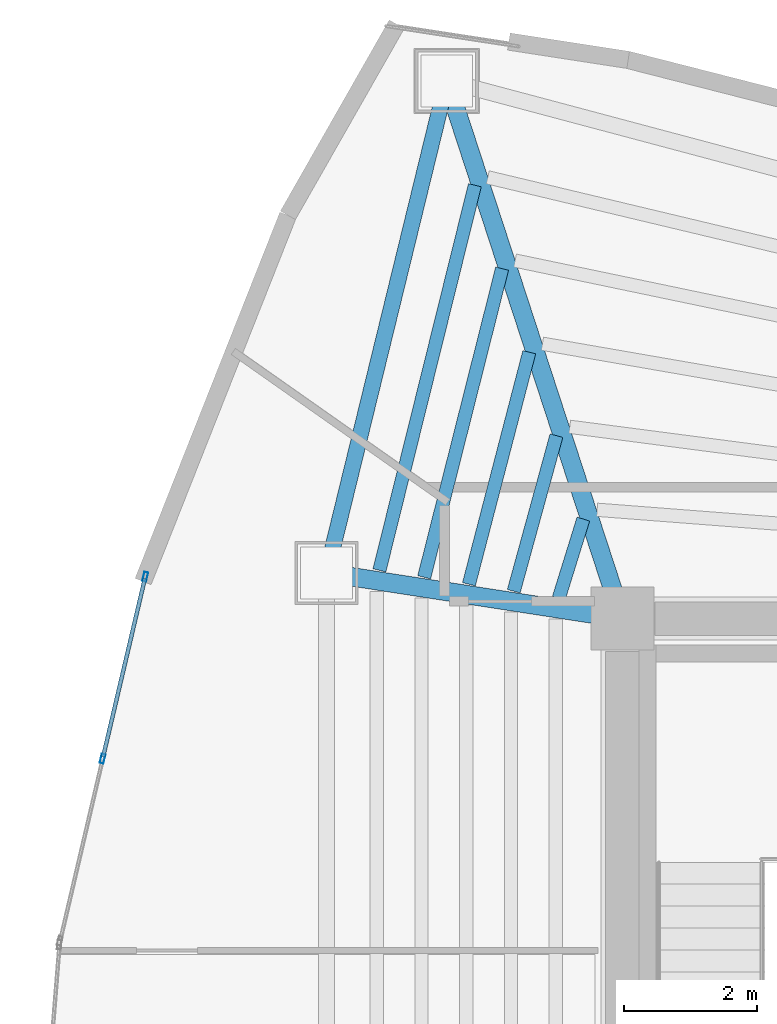
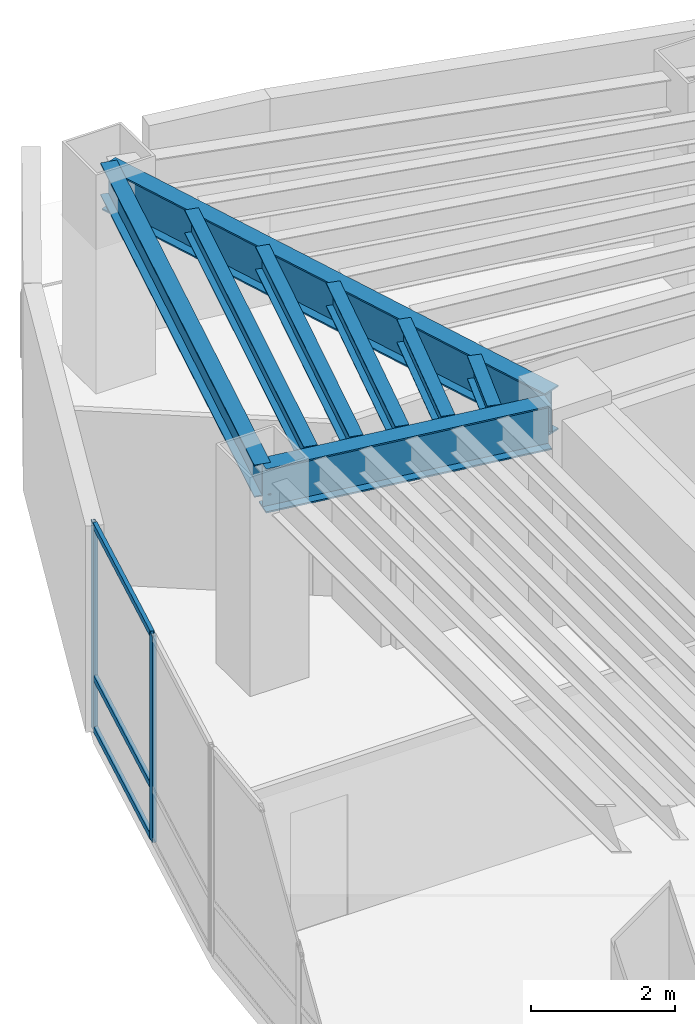
# One storey, part 6 of 15: 8 beams, 5 members, 1 element without a shape of its own.
"""IFC4 building model written with IfcOpenShell, lengths in metres."""

import ifcopenshell
import ifcopenshell.guid

model = None  # the IFC model being written
_history = None  # IfcOwnerHistory: only IFC2X3 demands one
_inside = {}  # id of a spatial element -> (the spatial element, [elements in it])
_under = {}  # id of a project, library or spatial element -> (it, [spatial elements below it])
_declared = {}  # id of a project -> (the project, [libraries it declares])
_typed = {}  # id of a type object -> (the type object, [elements of that type])
_made_of = {}  # id of a material, layer set ... -> (it, [elements and type objects made of it])


def new_model(schema):
    """Start an empty IFC model of exactly this schema.

    Asked for "IFC4X3", IfcOpenShell would pick the latest addendum, in which some entities
    have other attributes; the version numbers below select the first issue.
    IFC2X3 requires an IfcOwnerHistory on every rooted entity: one is made here for all.
    """
    global model, _history
    if schema == "IFC4X3":
        model = ifcopenshell.file(schema_version=(4, 3, 0, 0))
    else:
        model = ifcopenshell.file(schema=schema)
    _inside.clear()
    _under.clear()
    _declared.clear()
    _typed.clear()
    _made_of.clear()
    _history = None
    if model.schema == "IFC2X3":
        org = make("IfcOrganization", Name="unknown")
        user = make(
            "IfcPersonAndOrganization",
            ThePerson=make("IfcPerson", FamilyName="unknown"),
            TheOrganization=org,
        )
        app = make(
            "IfcApplication",
            ApplicationDeveloper=org,
            Version="unknown",
            ApplicationFullName="unknown",
            ApplicationIdentifier="unknown",
        )
        _history = make(
            "IfcOwnerHistory",
            OwningUser=user,
            OwningApplication=app,
            ChangeAction="ADDED",
            CreationDate=0,
        )
    return model


def make(cls, **values):
    """One entity of the class cls with the attributes given. An attribute that is None is left unset."""
    return model.create_entity(
        cls, **{name: value for name, value in values.items() if value is not None}
    )


def rooted(cls, **values):
    """An entity with a GlobalId (a new one), such as an element, a storey or a relation."""
    return make(cls, GlobalId=ifcopenshell.guid.new(), OwnerHistory=_history, **values)


def si_unit(unit_type, name, prefix=None):
    """IfcSIUnit, for example si_unit("LENGTHUNIT", "METRE", prefix="MILLI")."""
    return make("IfcSIUnit", UnitType=unit_type, Prefix=prefix, Name=name)


def assignment(units):
    """IfcUnitAssignment: the units of a project."""
    return None if units is None else make("IfcUnitAssignment", Units=units)


def point(xyz):
    """IfcCartesianPoint."""
    return None if xyz is None else make("IfcCartesianPoint", Coordinates=xyz)


def direction(xyz):
    """IfcDirection."""
    return None if xyz is None else make("IfcDirection", DirectionRatios=xyz)


def frame(location, z_axis=None, x_axis=None):
    """IfcAxis2Placement3D, a coordinate frame: its origin and axes. An axis left out is left unset."""
    return make(
        "IfcAxis2Placement3D",
        Location=point(location),
        Axis=direction(z_axis),
        RefDirection=direction(x_axis),
    )


def frame_2d(location, x_axis=None):
    """IfcAxis2Placement2D, a coordinate frame in the plane: its origin and x axis."""
    return make(
        "IfcAxis2Placement2D", Location=point(location), RefDirection=direction(x_axis)
    )


def origin():
    """The frame at (0, 0, 0) with its axes left unset."""
    return frame((0.0, 0.0, 0.0))


def origin_2d():
    """The frame at (0, 0) in the plane with its x axis left unset."""
    return frame_2d((0.0, 0.0))


def place(relative_to, where):
    """IfcLocalPlacement: puts the frame where relative to a parent placement (None: the world)."""
    return make(
        "IfcLocalPlacement", PlacementRelTo=relative_to, RelativePlacement=where
    )


def context(
    kind, dimensions, precision=None, world=None, true_north=None, identifier=None
):
    """IfcGeometricRepresentationContext, for example the 3D "Model" context."""
    return make(
        "IfcGeometricRepresentationContext",
        ContextIdentifier=identifier,
        ContextType=kind,
        CoordinateSpaceDimension=dimensions,
        Precision=precision,
        WorldCoordinateSystem=world,
        TrueNorth=true_north,
    )


def subcontext(parent, identifier, kind, view, scale=None):
    """IfcGeometricRepresentationSubContext, for example "Body" below "Model"."""
    return make(
        "IfcGeometricRepresentationSubContext",
        ContextIdentifier=identifier,
        ContextType=kind,
        ParentContext=parent,
        TargetScale=scale,
        TargetView=view,
    )


def project(units=None, contexts=None):
    """IfcProject with its units and contexts."""
    return rooted(
        "IfcProject",
        Name="project",
        RepresentationContexts=contexts,
        UnitsInContext=assignment(units),
    )


def spatial(cls, under=None, at=None, **own):
    """A site, building, storey or space (cls), placed at a placement, below another one or the project."""
    s = rooted(cls, ObjectPlacement=at, **own)
    if under is not None:
        _under.setdefault(under.id(), (under, []))[1].append(s)
    return s


def profile(cls, at=None, kind="AREA", **sizes):
    """A parametric profile (cls). Its sizes go by their IFC names, for example OverallWidth=200.0."""
    return make(cls, ProfileType=kind, Position=at, **sizes)


def hollow_rectangle(**sizes):
    """IfcRectangleHollowProfileDef."""
    return profile("IfcRectangleHollowProfileDef", **sizes)


def i_section(**sizes):
    """IfcIShapeProfileDef."""
    return profile("IfcIShapeProfileDef", **sizes)


def extrude(swept, where, along, depth):
    """IfcExtrudedAreaSolid: the profile swept, set in the frame where, extruded along a direction by depth."""
    return make(
        "IfcExtrudedAreaSolid",
        SweptArea=swept,
        Position=where,
        ExtrudedDirection=direction(along),
        Depth=depth,
    )


def shape(context_of_items, identifier, shape_type, items):
    """IfcShapeRepresentation: the items that make up one representation, for example the "Body"."""
    return make(
        "IfcShapeRepresentation",
        ContextOfItems=context_of_items,
        RepresentationIdentifier=identifier,
        RepresentationType=shape_type,
        Items=items,
    )


def material(Name=None, Category=None):
    """IfcMaterial."""
    return make("IfcMaterial", Name=Name, Category=Category)


def layer(
    of_material, thickness, ventilated=None, Name=None, Category=None, Priority=None
):
    """IfcMaterialLayer: one layer of a wall or slab, of a material (None: an air gap)."""
    return make(
        "IfcMaterialLayer",
        Material=of_material,
        LayerThickness=thickness,
        IsVentilated=ventilated,
        Name=Name,
        Category=Category,
        Priority=Priority,
    )


def layer_set(layers, Name=None):
    """IfcMaterialLayerSet."""
    return make("IfcMaterialLayerSet", MaterialLayers=layers, LayerSetName=Name)


def material_profile(
    of_material, cross_section, Name=None, Category=None, Priority=None
):
    """IfcMaterialProfile: a cross section and its material."""
    return make(
        "IfcMaterialProfile",
        Name=Name,
        Material=of_material,
        Profile=cross_section,
        Priority=Priority,
        Category=Category,
    )


def profile_set(profiles, Name=None, composite=None):
    """IfcMaterialProfileSet."""
    return make(
        "IfcMaterialProfileSet",
        Name=Name,
        MaterialProfiles=profiles,
        CompositeProfile=composite,
    )


def made_of(thing, what):
    """Note that an element or type object is made of a material, layer set ...; save() writes the relation."""
    if what is not None:
        _made_of.setdefault(what.id(), (what, []))[1].append(thing)
    return thing


def type_object(cls, material=None, **own):
    """A type object (cls), such as IfcWallType, which elements share."""
    return made_of(rooted(cls, **own), material)


def element(
    cls,
    number,
    at=None,
    inside=None,
    cuts=None,
    type_object=None,
    material=None,
    context=None,
    identifier="Body",
    shape_type=None,
    held_by="IfcProductDefinitionShape",
    body=None,
    shapes=None,
    **own,
):
    """One element of the class cls, such as IfcWall. Its Tag is "e" and its number.

    at: its placement. inside: the storey or other place that contains it. cuts: it is an
    opening in that element (IfcRelVoidsElement). A single representation is given by context,
    identifier, shape_type and body (its items); several are given by shapes. held_by: the class
    of the entity that holds the representations. save() writes the other relations.
    """
    e = rooted(cls, Tag="e%d" % number, ObjectPlacement=at, **own)
    if body is not None:
        shapes = [shape(context, identifier, shape_type, body)]
    if shapes is not None:
        e.Representation = make(held_by, Representations=shapes)
    if inside is not None:
        _inside.setdefault(inside.id(), (inside, []))[1].append(e)
    if cuts is not None:
        rooted(
            "IfcRelVoidsElement", RelatingBuildingElement=cuts, RelatedOpeningElement=e
        )
    if type_object is not None:
        _typed.setdefault(type_object.id(), (type_object, []))[1].append(e)
    return made_of(e, material)


def aggregate(whole, parts):
    """IfcRelAggregates: a whole, such as a stair, and the parts it consists of."""
    return rooted("IfcRelAggregates", RelatingObject=whole, RelatedObjects=parts)


def save(model, path):
    """Write the relations noted so far, then the file.

    IfcRelAggregates (storeys below a building ...), IfcRelContainedInSpatialStructure (elements
    in a storey), IfcRelDefinesByType, IfcRelAssociatesMaterial and IfcRelDeclares: one each for
    every whole, place, type object, material and project.
    """
    for whole, parts in _under.values():
        aggregate(whole, parts)
    for where, things in _inside.values():
        rooted(
            "IfcRelContainedInSpatialStructure",
            RelatedElements=things,
            RelatingStructure=where,
        )
    for kind, things in _typed.values():
        rooted("IfcRelDefinesByType", RelatedObjects=things, RelatingType=kind)
    for what, things in _made_of.values():
        rooted("IfcRelAssociatesMaterial", RelatedObjects=things, RelatingMaterial=what)
    for by, libraries in _declared.values():
        rooted("IfcRelDeclares", RelatingContext=by, RelatedDefinitions=libraries)
    model.write(path)


model = new_model("IFC4")

# Units and contexts
model_context = context("Model", 3, precision=1e-05, world=origin(), true_north=direction((0.0, 1.0)))
body_context = subcontext(model_context, "Body", "Model", "MODEL_VIEW")
ifc_project = project(units=[si_unit("LENGTHUNIT", "METRE"), si_unit("AREAUNIT", "SQUARE_METRE"), si_unit("VOLUMEUNIT", "CUBIC_METRE"), si_unit("PLANEANGLEUNIT", "RADIAN"), si_unit("MASSUNIT", "GRAM", prefix="KILO")], contexts=[model_context])

# Site, building, storey
site_placement = place(None, origin())
site = spatial("IfcSite", under=ifc_project, at=site_placement, CompositionType="ELEMENT")
building_placement = place(site_placement, origin())
building = spatial("IfcBuilding", under=site, at=building_placement, Name="Menara Vayukalpa", CompositionType="ELEMENT")
storey_placement = place(building_placement, frame((0.0, 0.0, 172.919921875)))
storey = spatial("IfcBuildingStorey", under=building, at=storey_placement, Name="L43", CompositionType="ELEMENT", Elevation=172.919921875)

# Beams
ifc_material_1 = material(Name="Steel S355", Category="steel")
ifc_material_profile_1 = material_profile(ifc_material_1, i_section(OverallWidth=0.280029296875, OverallDepth=0.75, WebThickness=0.013916015625, FlangeThickness=0.02490234375, at=origin_2d()), Name="WF 750x280x14x25")
ifc_profile_set_1 = profile_set([ifc_material_profile_1], Name="Steel S355")
beam_type_1 = type_object("IfcBeamType", Name="BM-PG4", PredefinedType="BEAM", material=ifc_profile_set_1)
beam_1_placement = place(storey_placement, frame((17.722412109375, 27.03759765625, 3.125), z_axis=(-0.310343552153, 0.950624468251, 0.0), x_axis=(-0.950624468251, -0.310343552153, 0.0)))
element("IfcBeam", 1, at=beam_1_placement, inside=storey, type_object=beam_type_1, Name="L43 Primary Radial Girder RG04", PredefinedType="BEAM", context=body_context, shape_type="SweptSolid", body=[
    extrude(i_section(OverallWidth=0.280029296875, OverallDepth=0.75, WebThickness=0.013916015625, FlangeThickness=0.02490234375, at=origin_2d()), origin(), (0.0, 0.0, 1.0), 8.2734375),
])
beam_2_placement = place(storey_placement, frame((17.552978515625, 26.838134765625, 3.125), z_axis=(-0.988244781219, 0.152879862617, 0.0), x_axis=(-0.152879862617, -0.988244781219, 0.0)))
element("IfcBeam", 2, at=beam_2_placement, inside=storey, type_object=beam_type_1, Name="L43 Primary Radial Girder RG05", PredefinedType="BEAM", context=body_context, shape_type="SweptSolid", body=[
    extrude(i_section(OverallWidth=0.280029296875, OverallDepth=0.75, WebThickness=0.013916015625, FlangeThickness=0.02490234375, at=origin_2d()), origin(), (0.0, 0.0, 1.0), 4.259033203125),
])
ifc_material_2 = material(Name="Steel S355", Category="steel")
ifc_material_profile_2 = material_profile(ifc_material_2, i_section(OverallWidth=0.199951171875, OverallDepth=0.39990234375, WebThickness=0.008056640625, FlangeThickness=0.012939453125, at=origin_2d()), Name="WF 400x200x8x13")
ifc_profile_set_2 = profile_set([ifc_material_profile_2], Name="Steel S355")
beam_type_2 = type_object("IfcBeamType", Name="BM-SJ2", PredefinedType="JOIST", material=ifc_profile_set_2)
beam_3_placement = place(storey_placement, frame((17.212890625, 28.300537109375, 3.300048828125), z_axis=(-0.296448419226, -0.955048865105, 0.0), x_axis=(0.955048865105, -0.296448419226, 0.0)))
element("IfcBeam", 3, at=beam_3_placement, inside=storey, type_object=beam_type_2, Name="L43 Secondary Floor Joist SJ04-1", PredefinedType="JOIST", context=body_context, shape_type="SweptSolid", body=[
    extrude(i_section(OverallWidth=0.199951171875, OverallDepth=0.39990234375, WebThickness=0.008056640625, FlangeThickness=0.012939453125, at=origin_2d()), origin(), (0.0, 0.0, 1.0), 1.24853515625),
])
beam_4_placement = place(storey_placement, frame((16.80712890625, 29.5576171875, 3.300048828125), z_axis=(-0.264502665082, -0.964384954344, 0.0), x_axis=(0.964384954344, -0.264502665082, 0.0)))
element("IfcBeam", 4, at=beam_4_placement, inside=storey, type_object=beam_type_2, Name="L43 Secondary Floor Joist SJ04-2", PredefinedType="JOIST", context=body_context, shape_type="SweptSolid", body=[
    extrude(i_section(OverallWidth=0.199951171875, OverallDepth=0.39990234375, WebThickness=0.008056640625, FlangeThickness=0.012939453125, at=origin_2d()), origin(), (0.0, 0.0, 1.0), 2.430419921875),
])
beam_5_placement = place(storey_placement, frame((16.398193359375, 30.815185546875, 3.300048828125), z_axis=(-0.251714869346, -0.967801438597, 0.0), x_axis=(0.967801438597, -0.251714869346, 0.0)))
element("IfcBeam", 5, at=beam_5_placement, inside=storey, type_object=beam_type_2, Name="L43 Secondary Floor Joist SJ04-3", PredefinedType="JOIST", context=body_context, shape_type="SweptSolid", body=[
    extrude(i_section(OverallWidth=0.199951171875, OverallDepth=0.39990234375, WebThickness=0.008056640625, FlangeThickness=0.012939453125, at=origin_2d()), origin(), (0.0, 0.0, 1.0), 3.61279296875),
])
beam_6_placement = place(storey_placement, frame((15.988525390625, 32.073486328125, 3.300048828125), z_axis=(-0.24483447751, -0.969564891393, 0.0), x_axis=(0.969564891393, -0.24483447751, 0.0)))
element("IfcBeam", 6, at=beam_6_placement, inside=storey, type_object=beam_type_2, Name="L43 Secondary Floor Joist SJ04-4", PredefinedType="JOIST", context=body_context, shape_type="SweptSolid", body=[
    extrude(i_section(OverallWidth=0.199951171875, OverallDepth=0.39990234375, WebThickness=0.008056640625, FlangeThickness=0.012939453125, at=origin_2d()), origin(), (0.0, 0.0, 1.0), 4.79638671875),
])
beam_7_placement = place(storey_placement, frame((15.57861328125, 33.33154296875, 3.300048828125), z_axis=(-0.240556182956, -0.970635216156, 0.0), x_axis=(0.970635216156, -0.240556182956, 0.0)))
element("IfcBeam", 7, at=beam_7_placement, inside=storey, type_object=beam_type_2, Name="L43 Secondary Floor Joist SJ04-5", PredefinedType="JOIST", context=body_context, shape_type="SweptSolid", body=[
    extrude(i_section(OverallWidth=0.199951171875, OverallDepth=0.39990234375, WebThickness=0.008056640625, FlangeThickness=0.012939453125, at=origin_2d()), origin(), (0.0, 0.0, 1.0), 5.979736328125),
])
ifc_material_3 = material(Name="Steel S355", Category="steel")
ifc_material_profile_3 = material_profile(ifc_material_3, i_section(OverallWidth=0.239990234375, OverallDepth=0.550048828125, WebThickness=0.010986328125, FlangeThickness=0.01904296875, at=origin_2d()), Name="WF 550x240x11x19")
ifc_profile_set_3 = profile_set([ifc_material_profile_3], Name="Steel S355")
beam_type_3 = type_object("IfcBeamType", Name="BM-SP2", PredefinedType="SPANDREL", material=ifc_profile_set_3)
beam_8_placement = place(storey_placement, frame((15.15478515625, 34.902587890625, 3.22509765625), z_axis=(-0.237285374413, -0.971439988414, 0.0), x_axis=(0.971439988414, -0.237285374413, 0.0)))
element("IfcBeam", 8, at=beam_8_placement, inside=storey, type_object=beam_type_3, Name="L43 Perimeter Spandrel Beam SP04", PredefinedType="SPANDREL", context=body_context, shape_type="SweptSolid", body=[
    extrude(i_section(OverallWidth=0.239990234375, OverallDepth=0.550048828125, WebThickness=0.010986328125, FlangeThickness=0.01904296875, at=origin_2d()), origin(), (0.0, 0.0, 1.0), 7.63134765625),
])

# Curtain wall, members
ifc_material_4 = material(Name="Anodised Terracotta Aluminium Alloy 6063-T6", Category="masonry")
ifc_layer = layer(ifc_material_4, 0.139892578125)
ifc_layer_set = layer_set([ifc_layer], Name="Anodised Terracotta Aluminium Alloy 6063-T6")
curtain_wall_type = type_object("IfcCurtainWallType", Name="CW-CW5", PredefinedType="USERDEFINED", material=ifc_layer_set)
curtain_wall_placement = place(storey_placement, origin())
curtain_wall = element("IfcCurtainWall", 9, at=curtain_wall_placement, inside=storey, type_object=curtain_wall_type, Name="L43 High Rise Tapered Curtain Wall CW5 10", ObjectType="UNITISED", PredefinedType="USERDEFINED")
ifc_material_5 = material(Name="Anodised Terracotta Aluminium Alloy 6063-T6", Category="masonry")
ifc_material_profile_4 = material_profile(ifc_material_5, hollow_rectangle(XDim=0.06005859375, YDim=0.139892578125, WallThickness=0.00341796875, at=origin_2d()), Name="ALU 60x140x3.5")
ifc_profile_set_4 = profile_set([ifc_material_profile_4], Name="Anodised Terracotta Aluminium Alloy 6063-T6")
member_type_1 = type_object("IfcMemberType", Name="CWM-CW5", PredefinedType="MULLION", material=ifc_profile_set_4)
member_1_placement = place(storey_placement, frame((10.612548828125, 27.433349609375, 0.0), z_axis=(0.0, 0.0, 1.0), x_axis=(0.973626241643, -0.228148946052, 0.0)))
member_1 = element("IfcMember", 10, at=member_1_placement, type_object=member_type_1, Name="CW5 mullion 1", PredefinedType="MULLION", context=body_context, shape_type="SweptSolid", body=[
    extrude(hollow_rectangle(XDim=0.06005859375, YDim=0.139892578125, WallThickness=0.00341796875, at=origin_2d()), origin(), (0.0, 0.0, 1.0), 3.5),
])
member_2_placement = place(storey_placement, frame((9.969482421875, 24.689208984375, 0.0), z_axis=(0.0, 0.0, 1.0), x_axis=(0.973626241643, -0.228148946052, 0.0)))
member_2 = element("IfcMember", 11, at=member_2_placement, type_object=member_type_1, Name="CW5 mullion 2", PredefinedType="MULLION", context=body_context, shape_type="SweptSolid", body=[
    extrude(hollow_rectangle(XDim=0.06005859375, YDim=0.139892578125, WallThickness=0.00341796875, at=origin_2d()), origin(), (0.0, 0.0, 1.0), 3.5),
])
ifc_material_6 = material(Name="Anodised Terracotta Aluminium Alloy 6063-T6", Category="masonry")
ifc_material_profile_5 = material_profile(ifc_material_6, hollow_rectangle(XDim=0.06005859375, YDim=0.10498046875, WallThickness=0.0029296875, at=origin_2d()), Name="ALU 60x105x3")
ifc_profile_set_5 = profile_set([ifc_material_profile_5], Name="Anodised Terracotta Aluminium Alloy 6063-T6")
member_type_2 = type_object("IfcMemberType", Name="CWT-CW5", PredefinedType="USERDEFINED", material=ifc_profile_set_5)
member_3_placement = place(storey_placement, frame((10.605712890625, 27.404296875, 0.030029296875), z_axis=(-0.228141514306, -0.973627983087, 0.0), x_axis=(0.973627983087, -0.228141514306, 0.0)))
member_3 = element("IfcMember", 12, at=member_3_placement, type_object=member_type_2, Name="CW5 transom 1.1", ObjectType="TRANSOM", PredefinedType="USERDEFINED", context=body_context, shape_type="SweptSolid", body=[
    extrude(hollow_rectangle(XDim=0.06005859375, YDim=0.10498046875, WallThickness=0.0029296875, at=origin_2d()), origin(), (0.0, 0.0, 1.0), 2.7587890625),
])
member_4_placement = place(storey_placement, frame((10.605712890625, 27.404296875, 0.900146484375), z_axis=(-0.228141514306, -0.973627983087, 0.0), x_axis=(0.973627983087, -0.228141514306, 0.0)))
member_4 = element("IfcMember", 13, at=member_4_placement, type_object=member_type_2, Name="CW5 transom 1.2", ObjectType="TRANSOM", PredefinedType="USERDEFINED", context=body_context, shape_type="SweptSolid", body=[
    extrude(hollow_rectangle(XDim=0.06005859375, YDim=0.10498046875, WallThickness=0.0029296875, at=origin_2d()), origin(), (0.0, 0.0, 1.0), 2.7587890625),
])
member_5_placement = place(storey_placement, frame((10.605712890625, 27.404296875, 3.469970703125), z_axis=(-0.228141514306, -0.973627983087, 0.0), x_axis=(0.973627983087, -0.228141514306, 0.0)))
member_5 = element("IfcMember", 14, at=member_5_placement, type_object=member_type_2, Name="CW5 transom 1.3", ObjectType="TRANSOM", PredefinedType="USERDEFINED", context=body_context, shape_type="SweptSolid", body=[
    extrude(hollow_rectangle(XDim=0.06005859375, YDim=0.10498046875, WallThickness=0.0029296875, at=origin_2d()), origin(), (0.0, 0.0, 1.0), 2.7587890625),
])
aggregate(curtain_wall, [member_1, member_2, member_3, member_4, member_5])

save(model, "model.ifc")
